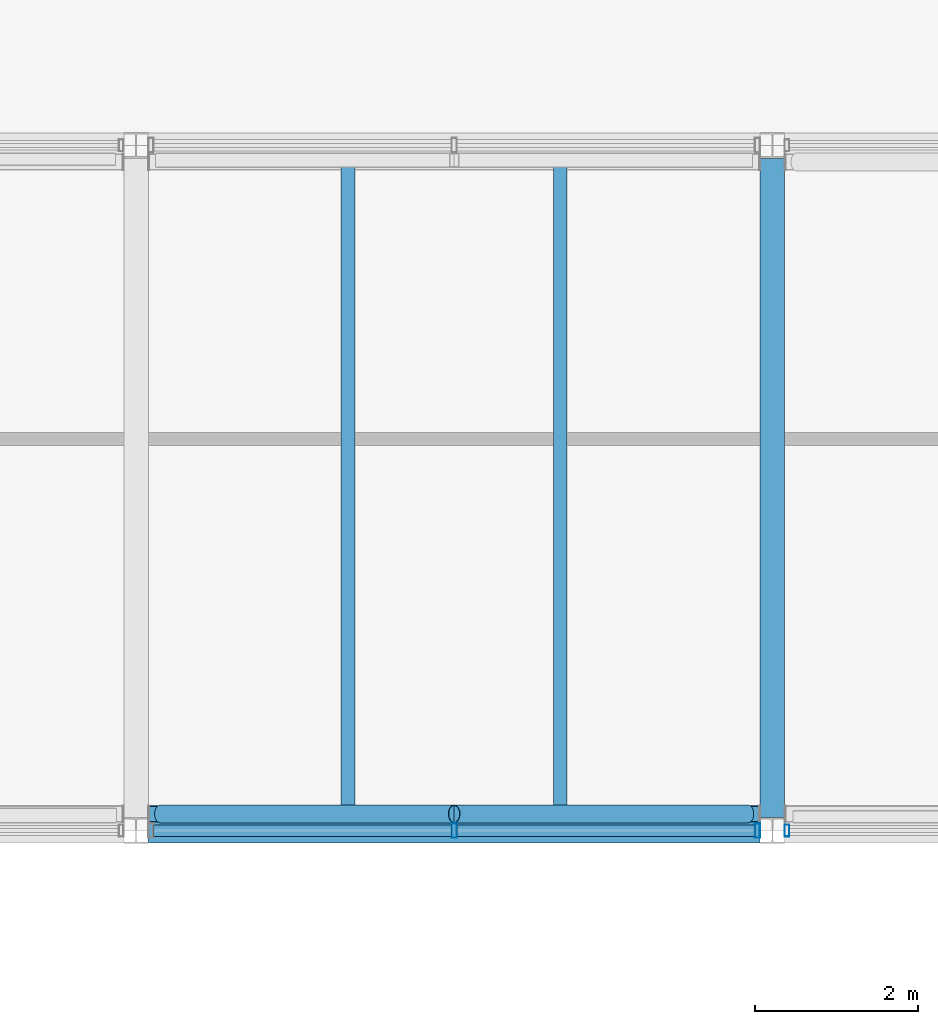
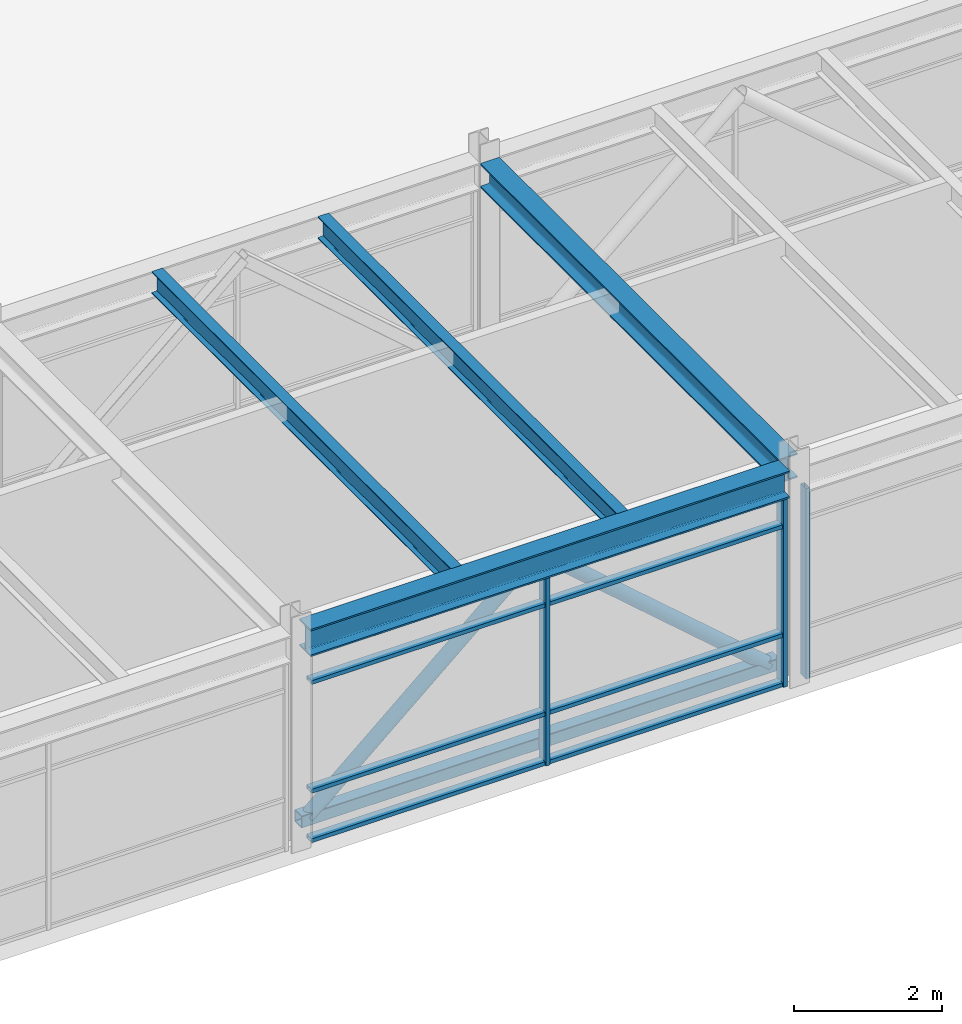
# One storey, part 16 of 72: 14 members, 4 beams, 2 elements without a shape of their own.
"""IFC4 building model written with IfcOpenShell, lengths in metres."""

from ifc_helpers import new_model, si_unit, direction, frame, origin, origin_2d, place, context, subcontext, project, spatial, hollow_rectangle, hollow_circle, i_section, extrude, material, material_profile, profile_set, type_object, element, aggregate, save


model = new_model("IFC4")

# Units and contexts
model_context = context("Model", 3, precision=1e-05, world=origin(), true_north=direction((0.0, 1.0)))
body_context = subcontext(model_context, "Body", "Model", "MODEL_VIEW")
ifc_project = project(units=[si_unit("LENGTHUNIT", "METRE"), si_unit("AREAUNIT", "SQUARE_METRE"), si_unit("VOLUMEUNIT", "CUBIC_METRE"), si_unit("PLANEANGLEUNIT", "RADIAN"), si_unit("MASSUNIT", "GRAM", prefix="KILO"), si_unit("THERMODYNAMICTEMPERATUREUNIT", "KELVIN"), si_unit("POWERUNIT", "WATT")], contexts=[model_context])

# Site, building, storey
site_placement = place(None, origin())
site = spatial("IfcSite", under=ifc_project, at=site_placement, CompositionType="ELEMENT")
building_placement = place(site_placement, origin())
building = spatial("IfcBuilding", under=site, at=building_placement, Name="Srebrne Nadtorze General Hospital", CompositionType="ELEMENT")
storey_placement = place(building_placement, frame((0.0, 0.0, 22.199951171875)))
storey = spatial("IfcBuildingStorey", under=building, at=storey_placement, Name="L05", CompositionType="ELEMENT", Elevation=22.199951171875)

# Beams
ifc_material_1 = material(Name="Steel S355J2", Category="steel")
ifc_material_profile_1 = material_profile(ifc_material_1, i_section(OverallWidth=0.300048828125, OverallDepth=0.39990234375, WebThickness=0.013427734375, FlangeThickness=0.02392578125, FilletRadius=0.027099609375, at=origin_2d()), Name="HEB-400")
ifc_profile_set_1 = profile_set([ifc_material_profile_1], Name="Steel S355J2")
beam_type_1 = type_object("IfcBeamType", Name="Courtyard bridge girder HEB 400", PredefinedType="BEAM", material=ifc_profile_set_1)
beam_1_placement = place(storey_placement, frame((85.800048828125, 50.56005859375, 3.400146484375), z_axis=(0.0, 1.0, 0.0), x_axis=(-1.0, 0.0, 0.0)))
element("IfcBeam", 1, at=beam_1_placement, inside=storey, type_object=beam_type_1, Name="Beam BM-L05-Y-1091", PredefinedType="BEAM", context=body_context, shape_type="SweptSolid", body=[
    extrude(i_section(OverallWidth=0.300048828125, OverallDepth=0.39990234375, WebThickness=0.013427734375, FlangeThickness=0.02392578125, FilletRadius=0.027099609375, at=origin_2d()), origin(), (0.0, 0.0, 1.0), 8.079833984375),
])
ifc_material_2 = material(Name="Steel S355J2", Category="steel")
ifc_material_profile_2 = material_profile(ifc_material_2, i_section(OverallWidth=0.300048828125, OverallDepth=0.449951171875, WebThickness=0.013916015625, FlangeThickness=0.02587890625, FilletRadius=0.027099609375, at=origin_2d()), Name="HEB-450")
ifc_profile_set_2 = profile_set([ifc_material_profile_2], Name="Steel S355J2")
beam_type_2 = type_object("IfcBeamType", Name="Courtyard bridge girder HEB 450", PredefinedType="BEAM", material=ifc_profile_set_2)
beam_2_placement = place(storey_placement, frame((78.14990234375, 50.39990234375, 3.375), z_axis=(1.0, 0.0, 0.0), x_axis=(0.0, 1.0, 0.0)))
element("IfcBeam", 2, at=beam_2_placement, inside=storey, type_object=beam_type_2, Name="Beam BM-L05-X-1025", PredefinedType="BEAM", context=body_context, shape_type="SweptSolid", body=[
    extrude(i_section(OverallWidth=0.300048828125, OverallDepth=0.449951171875, WebThickness=0.013916015625, FlangeThickness=0.02587890625, FilletRadius=0.027099609375, at=origin_2d()), origin(), (0.0, 0.0, 1.0), 7.5),
])

# Curtain wall, member
ifc_material_3 = material(Name="Anodised Aluminium", Category="aluminium")
curtain_wall_type = type_object("IfcCurtainWallType", Name="Bridge curtain wall 7500x3150", PredefinedType="NOTDEFINED", material=ifc_material_3)
curtain_wall_1_placement = place(storey_placement, origin())
curtain_wall_1 = element("IfcCurtainWall", 3, at=curtain_wall_1_placement, inside=storey, type_object=curtain_wall_type, Name="Curtain wall CW-122", PredefinedType="NOTDEFINED")
ifc_material_4 = material(Name="Anodised Aluminium", Category="aluminium")
ifc_material_profile_3 = material_profile(ifc_material_4, hollow_rectangle(XDim=0.06005859375, YDim=0.14990234375, WallThickness=0.00390625, at=origin_2d()), Name="AL-MUL-60x150")
ifc_profile_set_3 = profile_set([ifc_material_profile_3], Name="Anodised Aluminium")
member_type_1 = type_object("IfcMemberType", Name="Curtain mullion 60x150", PredefinedType="MULLION", material=ifc_profile_set_3)
member_1_placement = place(storey_placement, frame((85.97998046875, 50.39990234375, 0.0), z_axis=(0.0, 0.0, 1.0), x_axis=(1.0, 0.0, 0.0)))
member_1 = element("IfcMember", 4, at=member_1_placement, type_object=member_type_1, Name="CW-122 mullion 1", PredefinedType="MULLION", context=body_context, shape_type="SweptSolid", body=[
    extrude(hollow_rectangle(XDim=0.06005859375, YDim=0.14990234375, WallThickness=0.00390625, at=origin_2d()), origin(), (0.0, 0.0, 1.0), 3.150146484375),
])
aggregate(curtain_wall_1, [member_1])

# Curtain wall, members
curtain_wall_2_placement = place(storey_placement, origin())
curtain_wall_2 = element("IfcCurtainWall", 5, at=curtain_wall_2_placement, inside=storey, type_object=curtain_wall_type, Name="Curtain wall CW-121", PredefinedType="NOTDEFINED")
ifc_material_5 = material(Name="Anodised Aluminium", Category="aluminium")
ifc_material_profile_4 = material_profile(ifc_material_5, hollow_rectangle(XDim=0.06494140625, YDim=0.179931640625, WallThickness=0.00390625, at=origin_2d()), Name="AL-MUL-65x180")
ifc_profile_set_4 = profile_set([ifc_material_profile_4], Name="Anodised Aluminium")
member_type_2 = type_object("IfcMemberType", Name="Curtain mullion 65x180", PredefinedType="MULLION", material=ifc_profile_set_4)
member_2_placement = place(storey_placement, frame((81.89990234375, 50.39990234375, 0.0), z_axis=(0.0, 0.0, 1.0), x_axis=(1.0, 0.0, 0.0)))
member_2 = element("IfcMember", 6, at=member_2_placement, type_object=member_type_2, Name="CW-121 mullion 2", PredefinedType="MULLION", context=body_context, shape_type="SweptSolid", body=[
    extrude(hollow_rectangle(XDim=0.06494140625, YDim=0.179931640625, WallThickness=0.00390625, at=origin_2d()), origin(), (0.0, 0.0, 1.0), 3.150146484375),
])
member_3_placement = place(storey_placement, frame((85.617431640625, 50.39990234375, 0.0), z_axis=(0.0, 0.0, 1.0), x_axis=(1.0, 0.0, 0.0)))
member_3 = element("IfcMember", 7, at=member_3_placement, type_object=member_type_2, Name="CW-121 mullion 3", PredefinedType="MULLION", context=body_context, shape_type="SweptSolid", body=[
    extrude(hollow_rectangle(XDim=0.06494140625, YDim=0.179931640625, WallThickness=0.00390625, at=origin_2d()), origin(), (0.0, 0.0, 1.0), 3.150146484375),
])
ifc_material_6 = material(Name="Anodised Aluminium", Category="aluminium")
ifc_material_profile_5 = material_profile(ifc_material_6, hollow_rectangle(XDim=0.06494140625, YDim=0.139892578125, WallThickness=0.00390625, at=origin_2d()), Name="AL-TRN-65x140")
ifc_profile_set_5 = profile_set([ifc_material_profile_5], Name="Anodised Aluminium")
member_type_3 = type_object("IfcMemberType", Name="Curtain transom 65x140", PredefinedType="USERDEFINED", material=ifc_profile_set_5)
member_4_placement = place(storey_placement, frame((78.215087890625, 50.39990234375, 0.032470703125), z_axis=(1.0, 0.0, 0.0), x_axis=(0.0, 0.0, 1.0)))
member_4 = element("IfcMember", 8, at=member_4_placement, type_object=member_type_3, Name="CW-121 transom 1.1", ObjectType="TRANSOM", PredefinedType="USERDEFINED", context=body_context, shape_type="SweptSolid", body=[
    extrude(hollow_rectangle(XDim=0.06494140625, YDim=0.139892578125, WallThickness=0.00390625, at=origin_2d()), origin(), (0.0, 0.0, 1.0), 3.65234375),
])
member_5_placement = place(storey_placement, frame((78.215087890625, 50.39990234375, 0.85009765625), z_axis=(1.0, 0.0, 0.0), x_axis=(0.0, 0.0, 1.0)))
member_5 = element("IfcMember", 9, at=member_5_placement, type_object=member_type_3, Name="CW-121 transom 1.2", ObjectType="TRANSOM", PredefinedType="USERDEFINED", context=body_context, shape_type="SweptSolid", body=[
    extrude(hollow_rectangle(XDim=0.06494140625, YDim=0.139892578125, WallThickness=0.00390625, at=origin_2d()), origin(), (0.0, 0.0, 1.0), 3.65234375),
])
member_6_placement = place(storey_placement, frame((78.215087890625, 50.39990234375, 2.650146484375), z_axis=(1.0, 0.0, 0.0), x_axis=(0.0, 0.0, 1.0)))
member_6 = element("IfcMember", 10, at=member_6_placement, type_object=member_type_3, Name="CW-121 transom 1.3", ObjectType="TRANSOM", PredefinedType="USERDEFINED", context=body_context, shape_type="SweptSolid", body=[
    extrude(hollow_rectangle(XDim=0.06494140625, YDim=0.139892578125, WallThickness=0.00390625, at=origin_2d()), origin(), (0.0, 0.0, 1.0), 3.65234375),
])
member_7_placement = place(storey_placement, frame((78.215087890625, 50.39990234375, 3.117431640625), z_axis=(1.0, 0.0, 0.0), x_axis=(0.0, 0.0, 1.0)))
member_7 = element("IfcMember", 11, at=member_7_placement, type_object=member_type_3, Name="CW-121 transom 1.4", ObjectType="TRANSOM", PredefinedType="USERDEFINED", context=body_context, shape_type="SweptSolid", body=[
    extrude(hollow_rectangle(XDim=0.06494140625, YDim=0.139892578125, WallThickness=0.00390625, at=origin_2d()), origin(), (0.0, 0.0, 1.0), 3.65234375),
])
member_8_placement = place(storey_placement, frame((81.9326171875, 50.39990234375, 0.032470703125), z_axis=(1.0, 0.0, 0.0), x_axis=(0.0, 0.0, 1.0)))
member_8 = element("IfcMember", 12, at=member_8_placement, type_object=member_type_3, Name="CW-121 transom 2.1", ObjectType="TRANSOM", PredefinedType="USERDEFINED", context=body_context, shape_type="SweptSolid", body=[
    extrude(hollow_rectangle(XDim=0.06494140625, YDim=0.139892578125, WallThickness=0.00390625, at=origin_2d()), origin(), (0.0, 0.0, 1.0), 3.65234375),
])
member_9_placement = place(storey_placement, frame((81.9326171875, 50.39990234375, 0.85009765625), z_axis=(1.0, 0.0, 0.0), x_axis=(0.0, 0.0, 1.0)))
member_9 = element("IfcMember", 13, at=member_9_placement, type_object=member_type_3, Name="CW-121 transom 2.2", ObjectType="TRANSOM", PredefinedType="USERDEFINED", context=body_context, shape_type="SweptSolid", body=[
    extrude(hollow_rectangle(XDim=0.06494140625, YDim=0.139892578125, WallThickness=0.00390625, at=origin_2d()), origin(), (0.0, 0.0, 1.0), 3.65234375),
])
member_10_placement = place(storey_placement, frame((81.9326171875, 50.39990234375, 2.650146484375), z_axis=(1.0, 0.0, 0.0), x_axis=(0.0, 0.0, 1.0)))
member_10 = element("IfcMember", 14, at=member_10_placement, type_object=member_type_3, Name="CW-121 transom 2.3", ObjectType="TRANSOM", PredefinedType="USERDEFINED", context=body_context, shape_type="SweptSolid", body=[
    extrude(hollow_rectangle(XDim=0.06494140625, YDim=0.139892578125, WallThickness=0.00390625, at=origin_2d()), origin(), (0.0, 0.0, 1.0), 3.65234375),
])
member_11_placement = place(storey_placement, frame((81.9326171875, 50.39990234375, 3.117431640625), z_axis=(1.0, 0.0, 0.0), x_axis=(0.0, 0.0, 1.0)))
member_11 = element("IfcMember", 15, at=member_11_placement, type_object=member_type_3, Name="CW-121 transom 2.4", ObjectType="TRANSOM", PredefinedType="USERDEFINED", context=body_context, shape_type="SweptSolid", body=[
    extrude(hollow_rectangle(XDim=0.06494140625, YDim=0.139892578125, WallThickness=0.00390625, at=origin_2d()), origin(), (0.0, 0.0, 1.0), 3.65234375),
])
aggregate(curtain_wall_2, [member_2, member_3, member_4, member_5, member_6, member_7, member_8, member_9, member_10, member_11])

# Beams
ifc_material_7 = material(Name="Steel S355J2", Category="steel")
ifc_material_profile_6 = material_profile(ifc_material_7, i_section(OverallWidth=0.169921875, OverallDepth=0.360107421875, WebThickness=0.008056640625, FlangeThickness=0.0126953125, FilletRadius=0.01806640625, at=origin_2d()), Name="IPE-360")
ifc_profile_set_6 = profile_set([ifc_material_profile_6], Name="Steel S355J2")
beam_type_3 = type_object("IfcBeamType", Name="Deck joist IPE 360", PredefinedType="JOIST", material=ifc_profile_set_6)
for number, where, z_axis, x_axis, name in (
    (16, (80.60009765625, 50.544921875, 3.420166015625), (0.0, 1.0, 0.0), (-1.0, 0.0, 0.0), "Clinical courtyard bridge deck joist 158"),
    (17, (83.199951171875, 50.544921875, 3.420166015625), (0.0, 1.0, 0.0), (-1.0, 0.0, 0.0), "Clinical courtyard bridge deck joist 159"),
):
    element("IfcBeam", number, at=place(storey_placement, frame(where, z_axis=z_axis, x_axis=x_axis)), inside=storey, type_object=beam_type_3, Name=name, PredefinedType="JOIST", context=body_context, shape_type="SweptSolid", body=[
        extrude(i_section(OverallWidth=0.169921875, OverallDepth=0.360107421875, WebThickness=0.008056640625, FlangeThickness=0.0126953125, FilletRadius=0.01806640625, at=origin_2d()), origin(), (0.0, 0.0, 1.0), 8.110107421875),
    ])

# Members
ifc_material_8 = material(Name="Steel S355J2", Category="steel")
ifc_material_profile_7 = material_profile(ifc_material_8, hollow_circle(Radius=0.109619140625, WallThickness=0.008056640625, at=origin_2d()), Name="CHS-219.1x8")
ifc_profile_set_7 = profile_set([ifc_material_profile_7], Name="Steel S355J2")
member_type_4 = type_object("IfcMemberType", Name="Diagonal brace CHS 219.1x8", PredefinedType="BRACE", material=ifc_profile_set_7)
for number, where, z_axis, x_axis, name in (
    (18, (78.300048828125, 50.6044921875, 0.25), (0.754624252348, 0.0, 0.656157174592), (0.0, 1.0, 0.0), "Clinical courtyard bridge brace 7"),
    (19, (85.5, 50.6044921875, 0.25), (-0.754646285498, 0.0, 0.656131834149), (0.0, -1.0, 0.0), "Clinical courtyard bridge brace 8"),
):
    element("IfcMember", number, at=place(storey_placement, frame(where, z_axis=z_axis, x_axis=x_axis)), inside=storey, type_object=member_type_4, Name=name, PredefinedType="BRACE", context=body_context, shape_type="SweptSolid", body=[
        extrude(hollow_circle(Radius=0.109619140625, WallThickness=0.008056640625, at=origin_2d()), origin(), (0.0, 0.0, 1.0), 4.7705078125),
    ])
ifc_material_9 = material(Name="Steel S355J2", Category="steel")
ifc_material_profile_8 = material_profile(ifc_material_9, hollow_rectangle(XDim=0.199951171875, YDim=0.199951171875, WallThickness=0.010009765625, InnerFilletRadius=0.010009765625, OuterFilletRadius=0.014892578125, at=origin_2d()), Name="SHS-200x200x10")
ifc_profile_set_8 = profile_set([ifc_material_profile_8], Name="Steel S355J2")
member_type_5 = type_object("IfcMemberType", Name="Truss chord SHS 200x200x10", PredefinedType="CHORD", material=ifc_profile_set_8)
member_12_placement = place(storey_placement, frame((78.162109375, 50.60498046875, 0.25), z_axis=(1.0, 0.0, 0.0), x_axis=(0.0, 1.0, 0.0)))
element("IfcMember", 20, at=member_12_placement, inside=storey, type_object=member_type_5, Name="Clinical courtyard bridge truss chord 4", PredefinedType="CHORD", context=body_context, shape_type="SweptSolid", body=[
    extrude(hollow_rectangle(XDim=0.199951171875, YDim=0.199951171875, WallThickness=0.010009765625, InnerFilletRadius=0.010009765625, OuterFilletRadius=0.014892578125, at=origin_2d()), origin(), (0.0, 0.0, 1.0), 7.475830078125),
])

save(model, "model.ifc")
